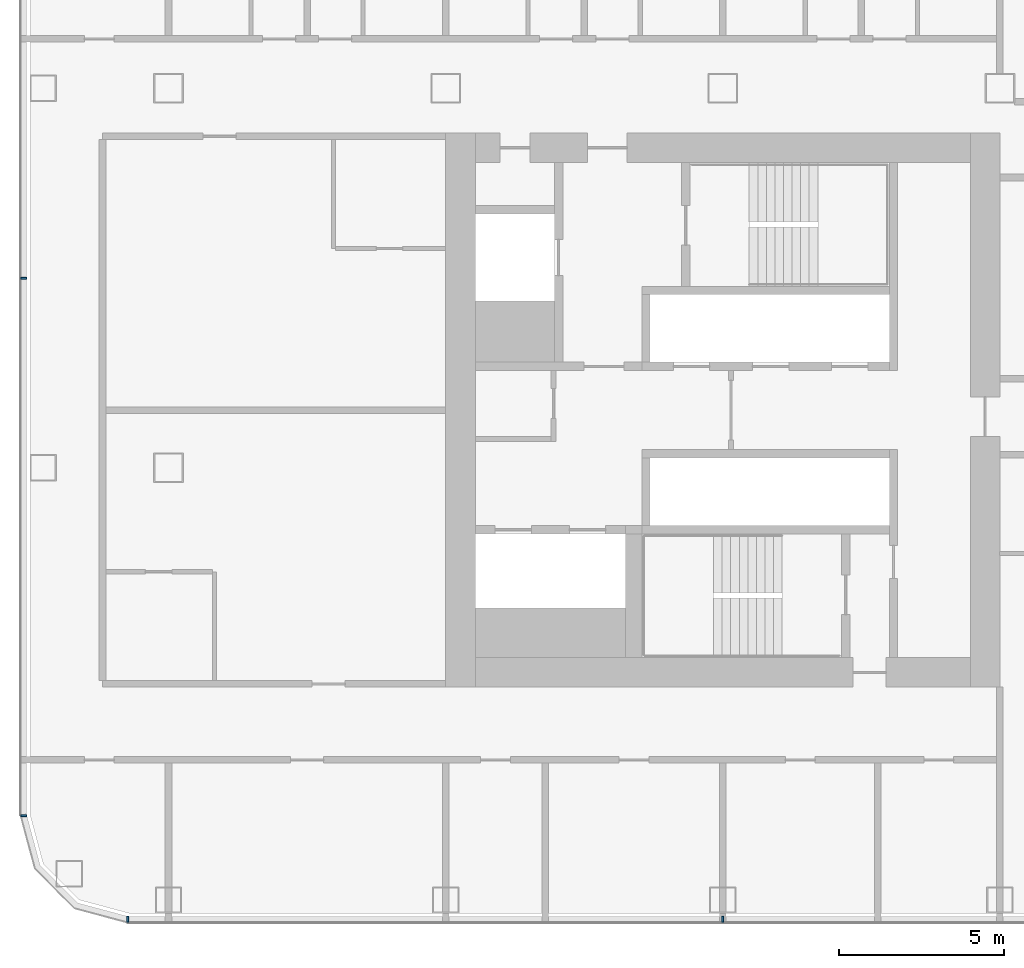
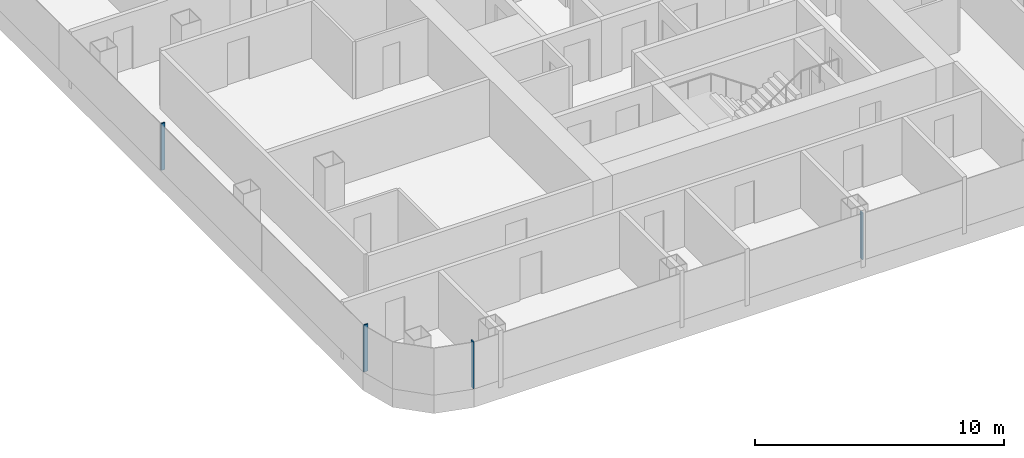
# One storey, part 2 of 29: 4 members, 2 elements without a shape of their own.
"""IFC4 building model written with IfcOpenShell, lengths in metres."""

from ifc_helpers import new_model, si_unit, direction, frame, origin, origin_2d, place, context, subcontext, project, spatial, rectangle, extrude, material, layer, layer_set, material_profile, profile_set, type_object, element, aggregate, save


model = new_model("IFC4")

# Units and contexts
model_context = context("Model", 3, precision=1e-05, world=origin(), true_north=direction((0.0, 1.0)))
body_context = subcontext(model_context, "Body", "Model", "MODEL_VIEW")
ifc_project = project(units=[si_unit("LENGTHUNIT", "METRE"), si_unit("AREAUNIT", "SQUARE_METRE"), si_unit("VOLUMEUNIT", "CUBIC_METRE"), si_unit("PLANEANGLEUNIT", "RADIAN"), si_unit("MASSUNIT", "GRAM", prefix="KILO")], contexts=[model_context])

# Site, building, storey
site_placement = place(None, origin())
site = spatial("IfcSite", under=ifc_project, at=site_placement, CompositionType="ELEMENT")
building_placement = place(site_placement, origin())
building = spatial("IfcBuilding", under=site, at=building_placement, Name="Hakoniwa Tower and Hamabe Station Hall", CompositionType="ELEMENT")
storey_placement = place(building_placement, frame((0.0, 0.0, 110.60009765625)))
storey = spatial("IfcBuildingStorey", under=building, at=storey_placement, Name="L31", CompositionType="ELEMENT", Elevation=110.60009765625)

# Curtain wall, members
ifc_material_1 = material(Name="Dark low-e laminated glass", Category="glass")
ifc_layer = layer(ifc_material_1, 0.199951171875)
ifc_layer_set = layer_set([ifc_layer], Name="CW-1 UNITISED GUEST")
curtain_wall_type = type_object("IfcCurtainWallType", Name="CW-1 UNITISED GUEST", PredefinedType="NOTDEFINED", material=ifc_layer_set)
curtain_wall_1_placement = place(storey_placement, origin())
curtain_wall_1 = element("IfcCurtainWall", 1, at=curtain_wall_1_placement, inside=storey, type_object=curtain_wall_type, Name="CW-1 curtain wall", PredefinedType="NOTDEFINED")
ifc_material_2 = material(Name="Aluminium 6063-T5 black anodised", Category="aluminium")
ifc_material_profile = material_profile(ifc_material_2, rectangle(XDim=0.06005859375, YDim=0.179931640625, at=origin_2d()), Name="CW-1 MULLION 60X180")
ifc_profile_set = profile_set([ifc_material_profile], Name="Aluminium 6063-T5 black anodised")
member_type = type_object("IfcMemberType", Name="CW-1 MULLION 60X180", PredefinedType="MULLION", material=ifc_profile_set)
member_1_placement = place(storey_placement, frame((-46.382080078125, 4.0, 0.349853515625), z_axis=(0.0, 0.0, 1.0), x_axis=(0.0, -1.0, 0.0)))
member_1 = element("IfcMember", 2, at=member_1_placement, type_object=member_type, Name="CW-1 mullion", PredefinedType="MULLION", context=body_context, shape_type="SweptSolid", body=[
    extrude(rectangle(XDim=0.06005859375, YDim=0.179931640625, at=origin_2d()), origin(), (0.0, 0.0, 1.0), 2.300048828125),
])
member_2_placement = place(storey_placement, frame((-46.382080078125, -12.28955078125, 0.349853515625), z_axis=(0.0, 0.0, 1.0), x_axis=(0.0, -1.0, 0.0)))
member_2 = element("IfcMember", 3, at=member_2_placement, type_object=member_type, Name="CW-1 mullion", PredefinedType="MULLION", context=body_context, shape_type="SweptSolid", body=[
    extrude(rectangle(XDim=0.06005859375, YDim=0.179931640625, at=origin_2d()), origin(), (0.0, 0.0, 1.0), 2.300048828125),
])
aggregate(curtain_wall_1, [member_1, member_2])

curtain_wall_2_placement = place(storey_placement, origin())
curtain_wall_2 = element("IfcCurtainWall", 4, at=curtain_wall_2_placement, inside=storey, type_object=curtain_wall_type, Name="CW-1 curtain wall", PredefinedType="NOTDEFINED")
member_3_placement = place(storey_placement, frame((-43.239501953125, -15.431884765625, 0.349853515625), z_axis=(0.0, 0.0, 1.0), x_axis=(1.0, 0.0, 0.0)))
member_3 = element("IfcMember", 5, at=member_3_placement, type_object=member_type, Name="CW-1 mullion", PredefinedType="MULLION", context=body_context, shape_type="SweptSolid", body=[
    extrude(rectangle(XDim=0.06005859375, YDim=0.179931640625, at=origin_2d()), origin(), (0.0, 0.0, 1.0), 2.300048828125),
])
member_4_placement = place(storey_placement, frame((-25.199951171875, -15.431884765625, 0.349853515625), z_axis=(0.0, 0.0, 1.0), x_axis=(1.0, 0.0, 0.0)))
member_4 = element("IfcMember", 6, at=member_4_placement, type_object=member_type, Name="CW-1 mullion", PredefinedType="MULLION", context=body_context, shape_type="SweptSolid", body=[
    extrude(rectangle(XDim=0.06005859375, YDim=0.179931640625, at=origin_2d()), origin(), (0.0, 0.0, 1.0), 2.300048828125),
])
aggregate(curtain_wall_2, [member_3, member_4])

save(model, "model.ifc")
